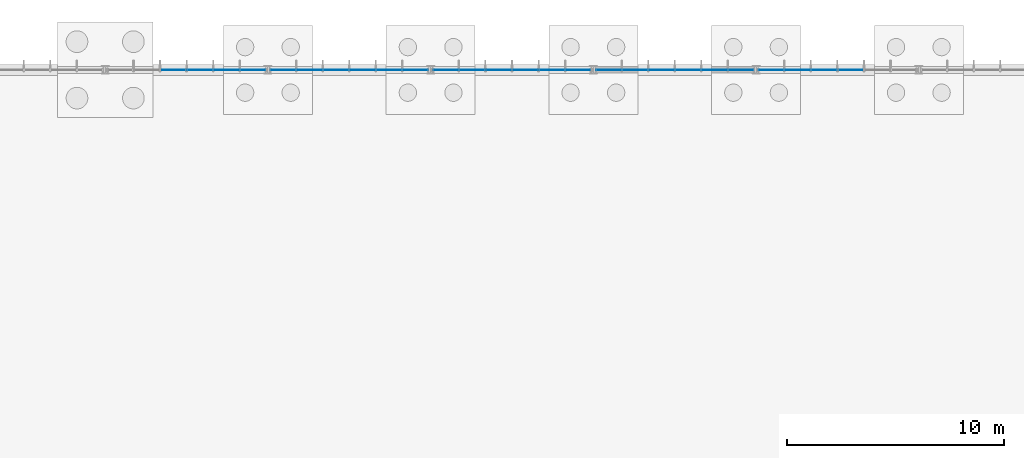
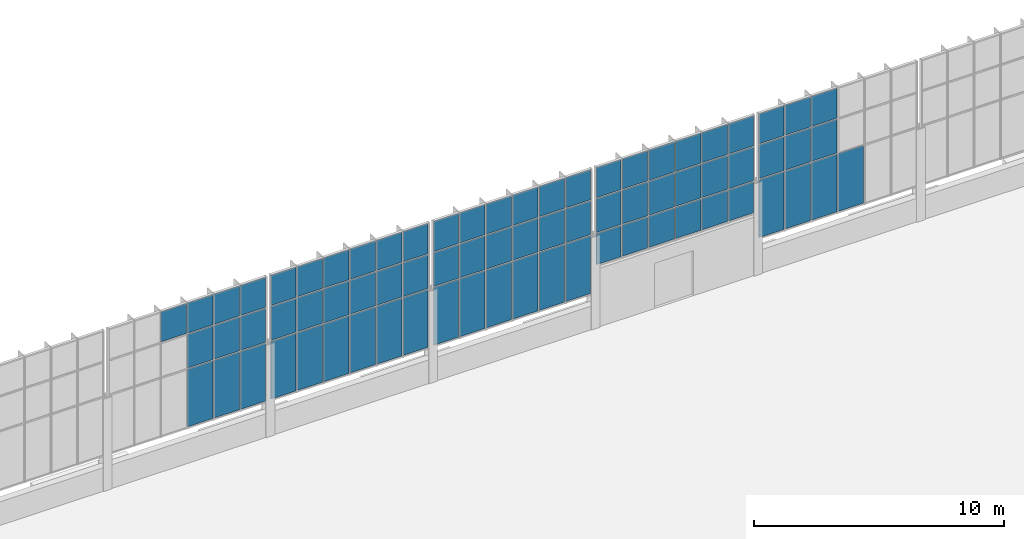
# One storey, part 94 of 136: 74 plates, 5 elements without a shape of their own.
"""IFC4 building model written with IfcOpenShell, lengths in metres."""

import ifcopenshell
import ifcopenshell.guid

model = None  # the IFC model being written
_history = None  # IfcOwnerHistory: only IFC2X3 demands one
_inside = {}  # id of a spatial element -> (the spatial element, [elements in it])
_under = {}  # id of a project, library or spatial element -> (it, [spatial elements below it])
_declared = {}  # id of a project -> (the project, [libraries it declares])
_typed = {}  # id of a type object -> (the type object, [elements of that type])
_made_of = {}  # id of a material, layer set ... -> (it, [elements and type objects made of it])


def new_model(schema):
    """Start an empty IFC model of exactly this schema.

    Asked for "IFC4X3", IfcOpenShell would pick the latest addendum, in which some entities
    have other attributes; the version numbers below select the first issue.
    IFC2X3 requires an IfcOwnerHistory on every rooted entity: one is made here for all.
    """
    global model, _history
    if schema == "IFC4X3":
        model = ifcopenshell.file(schema_version=(4, 3, 0, 0))
    else:
        model = ifcopenshell.file(schema=schema)
    _inside.clear()
    _under.clear()
    _declared.clear()
    _typed.clear()
    _made_of.clear()
    _history = None
    if model.schema == "IFC2X3":
        org = make("IfcOrganization", Name="unknown")
        user = make(
            "IfcPersonAndOrganization",
            ThePerson=make("IfcPerson", FamilyName="unknown"),
            TheOrganization=org,
        )
        app = make(
            "IfcApplication",
            ApplicationDeveloper=org,
            Version="unknown",
            ApplicationFullName="unknown",
            ApplicationIdentifier="unknown",
        )
        _history = make(
            "IfcOwnerHistory",
            OwningUser=user,
            OwningApplication=app,
            ChangeAction="ADDED",
            CreationDate=0,
        )
    return model


def make(cls, **values):
    """One entity of the class cls with the attributes given. An attribute that is None is left unset."""
    return model.create_entity(
        cls, **{name: value for name, value in values.items() if value is not None}
    )


def rooted(cls, **values):
    """An entity with a GlobalId (a new one), such as an element, a storey or a relation."""
    return make(cls, GlobalId=ifcopenshell.guid.new(), OwnerHistory=_history, **values)


def si_unit(unit_type, name, prefix=None):
    """IfcSIUnit, for example si_unit("LENGTHUNIT", "METRE", prefix="MILLI")."""
    return make("IfcSIUnit", UnitType=unit_type, Prefix=prefix, Name=name)


def assignment(units):
    """IfcUnitAssignment: the units of a project."""
    return None if units is None else make("IfcUnitAssignment", Units=units)


def point(xyz):
    """IfcCartesianPoint."""
    return None if xyz is None else make("IfcCartesianPoint", Coordinates=xyz)


def direction(xyz):
    """IfcDirection."""
    return None if xyz is None else make("IfcDirection", DirectionRatios=xyz)


def frame(location, z_axis=None, x_axis=None):
    """IfcAxis2Placement3D, a coordinate frame: its origin and axes. An axis left out is left unset."""
    return make(
        "IfcAxis2Placement3D",
        Location=point(location),
        Axis=direction(z_axis),
        RefDirection=direction(x_axis),
    )


def frame_2d(location, x_axis=None):
    """IfcAxis2Placement2D, a coordinate frame in the plane: its origin and x axis."""
    return make(
        "IfcAxis2Placement2D", Location=point(location), RefDirection=direction(x_axis)
    )


def origin():
    """The frame at (0, 0, 0) with its axes left unset."""
    return frame((0.0, 0.0, 0.0))


def origin_2d():
    """The frame at (0, 0) in the plane with its x axis left unset."""
    return frame_2d((0.0, 0.0))


def place(relative_to, where):
    """IfcLocalPlacement: puts the frame where relative to a parent placement (None: the world)."""
    return make(
        "IfcLocalPlacement", PlacementRelTo=relative_to, RelativePlacement=where
    )


def context(
    kind, dimensions, precision=None, world=None, true_north=None, identifier=None
):
    """IfcGeometricRepresentationContext, for example the 3D "Model" context."""
    return make(
        "IfcGeometricRepresentationContext",
        ContextIdentifier=identifier,
        ContextType=kind,
        CoordinateSpaceDimension=dimensions,
        Precision=precision,
        WorldCoordinateSystem=world,
        TrueNorth=true_north,
    )


def subcontext(parent, identifier, kind, view, scale=None):
    """IfcGeometricRepresentationSubContext, for example "Body" below "Model"."""
    return make(
        "IfcGeometricRepresentationSubContext",
        ContextIdentifier=identifier,
        ContextType=kind,
        ParentContext=parent,
        TargetScale=scale,
        TargetView=view,
    )


def project(units=None, contexts=None):
    """IfcProject with its units and contexts."""
    return rooted(
        "IfcProject",
        Name="project",
        RepresentationContexts=contexts,
        UnitsInContext=assignment(units),
    )


def spatial(cls, under=None, at=None, **own):
    """A site, building, storey or space (cls), placed at a placement, below another one or the project."""
    s = rooted(cls, ObjectPlacement=at, **own)
    if under is not None:
        _under.setdefault(under.id(), (under, []))[1].append(s)
    return s


def profile(cls, at=None, kind="AREA", **sizes):
    """A parametric profile (cls). Its sizes go by their IFC names, for example OverallWidth=200.0."""
    return make(cls, ProfileType=kind, Position=at, **sizes)


def rectangle(**sizes):
    """IfcRectangleProfileDef."""
    return profile("IfcRectangleProfileDef", **sizes)


def extrude(swept, where, along, depth):
    """IfcExtrudedAreaSolid: the profile swept, set in the frame where, extruded along a direction by depth."""
    return make(
        "IfcExtrudedAreaSolid",
        SweptArea=swept,
        Position=where,
        ExtrudedDirection=direction(along),
        Depth=depth,
    )


def shape(context_of_items, identifier, shape_type, items):
    """IfcShapeRepresentation: the items that make up one representation, for example the "Body"."""
    return make(
        "IfcShapeRepresentation",
        ContextOfItems=context_of_items,
        RepresentationIdentifier=identifier,
        RepresentationType=shape_type,
        Items=items,
    )


def material(Name=None, Category=None):
    """IfcMaterial."""
    return make("IfcMaterial", Name=Name, Category=Category)


def layer(
    of_material, thickness, ventilated=None, Name=None, Category=None, Priority=None
):
    """IfcMaterialLayer: one layer of a wall or slab, of a material (None: an air gap)."""
    return make(
        "IfcMaterialLayer",
        Material=of_material,
        LayerThickness=thickness,
        IsVentilated=ventilated,
        Name=Name,
        Category=Category,
        Priority=Priority,
    )


def layer_set(layers, Name=None):
    """IfcMaterialLayerSet."""
    return make("IfcMaterialLayerSet", MaterialLayers=layers, LayerSetName=Name)


def made_of(thing, what):
    """Note that an element or type object is made of a material, layer set ...; save() writes the relation."""
    if what is not None:
        _made_of.setdefault(what.id(), (what, []))[1].append(thing)
    return thing


def type_object(cls, material=None, **own):
    """A type object (cls), such as IfcWallType, which elements share."""
    return made_of(rooted(cls, **own), material)


def element(
    cls,
    number,
    at=None,
    inside=None,
    cuts=None,
    type_object=None,
    material=None,
    context=None,
    identifier="Body",
    shape_type=None,
    held_by="IfcProductDefinitionShape",
    body=None,
    shapes=None,
    **own,
):
    """One element of the class cls, such as IfcWall. Its Tag is "e" and its number.

    at: its placement. inside: the storey or other place that contains it. cuts: it is an
    opening in that element (IfcRelVoidsElement). A single representation is given by context,
    identifier, shape_type and body (its items); several are given by shapes. held_by: the class
    of the entity that holds the representations. save() writes the other relations.
    """
    e = rooted(cls, Tag="e%d" % number, ObjectPlacement=at, **own)
    if body is not None:
        shapes = [shape(context, identifier, shape_type, body)]
    if shapes is not None:
        e.Representation = make(held_by, Representations=shapes)
    if inside is not None:
        _inside.setdefault(inside.id(), (inside, []))[1].append(e)
    if cuts is not None:
        rooted(
            "IfcRelVoidsElement", RelatingBuildingElement=cuts, RelatedOpeningElement=e
        )
    if type_object is not None:
        _typed.setdefault(type_object.id(), (type_object, []))[1].append(e)
    return made_of(e, material)


def aggregate(whole, parts):
    """IfcRelAggregates: a whole, such as a stair, and the parts it consists of."""
    return rooted("IfcRelAggregates", RelatingObject=whole, RelatedObjects=parts)


def save(model, path):
    """Write the relations noted so far, then the file.

    IfcRelAggregates (storeys below a building ...), IfcRelContainedInSpatialStructure (elements
    in a storey), IfcRelDefinesByType, IfcRelAssociatesMaterial and IfcRelDeclares: one each for
    every whole, place, type object, material and project.
    """
    for whole, parts in _under.values():
        aggregate(whole, parts)
    for where, things in _inside.values():
        rooted(
            "IfcRelContainedInSpatialStructure",
            RelatedElements=things,
            RelatingStructure=where,
        )
    for kind, things in _typed.values():
        rooted("IfcRelDefinesByType", RelatedObjects=things, RelatingType=kind)
    for what, things in _made_of.values():
        rooted("IfcRelAssociatesMaterial", RelatedObjects=things, RelatingMaterial=what)
    for by, libraries in _declared.values():
        rooted("IfcRelDeclares", RelatingContext=by, RelatedDefinitions=libraries)
    model.write(path)


model = new_model("IFC4")

# Units and contexts
model_context = context("Model", 3, precision=1e-05, world=origin(), true_north=direction((0.0, 1.0)))
body_context = subcontext(model_context, "Body", "Model", "MODEL_VIEW")
ifc_project = project(units=[si_unit("LENGTHUNIT", "METRE"), si_unit("AREAUNIT", "SQUARE_METRE"), si_unit("VOLUMEUNIT", "CUBIC_METRE"), si_unit("PLANEANGLEUNIT", "RADIAN"), si_unit("MASSUNIT", "GRAM", prefix="KILO")], contexts=[model_context])

# Site, building, storey
site_placement = place(None, origin())
site = spatial("IfcSite", under=ifc_project, at=site_placement, CompositionType="ELEMENT")
building_placement = place(site_placement, origin())
building = spatial("IfcBuilding", under=site, at=building_placement, Name="Solvenia Promenade Tram Depot", CompositionType="ELEMENT")
storey_placement = place(building_placement, origin())
storey = spatial("IfcBuildingStorey", under=building, at=storey_placement, Name="L00", CompositionType="ELEMENT", Elevation=0.0)

# Curtain wall, plates
ifc_material_1 = material(Name="Anodized aluminium AW-6063 T6", Category="aluminium")
ifc_layer_1 = layer(ifc_material_1, 0.159912109375, Name="Anodized aluminium AW-6063 T6", Category="aluminium")
ifc_layer_set_1 = layer_set([ifc_layer_1], Name="Anodized aluminium AW-6063 T6")
curtain_wall_type = type_object("IfcCurtainWallType", Name="CW-Channel-1200", PredefinedType="NOTDEFINED", material=ifc_layer_set_1)
curtain_wall_1_placement = place(storey_placement, origin())
curtain_wall_1 = element("IfcCurtainWall", 1, at=curtain_wall_1_placement, inside=storey, type_object=curtain_wall_type, Name="North Translucent Channel-Glass Wall 13", PredefinedType="NOTDEFINED")
ifc_material_2 = material(Name="Low-iron translucent U-profile channel glass", Category="glass")
ifc_layer_2 = layer(ifc_material_2, 0.028076171875, Name="Low-iron translucent U-profile channel glass", Category="glass")
ifc_layer_set_2 = layer_set([ifc_layer_2], Name="Low-iron translucent U-profile channel glass")
plate_type = type_object("IfcPlateType", Name="CWP-Panel-1", PredefinedType="CURTAIN_PANEL", material=ifc_layer_set_2)
plate_1_placement = place(storey_placement, frame((93.138427734375, 126.0, 6.22998046875), z_axis=(0.0, 0.0, 1.0), x_axis=(1.0, 0.0, 0.0)))
plate_1 = element("IfcPlate", 2, at=plate_1_placement, type_object=plate_type, Name="CW-1 panel 3.3", PredefinedType="CURTAIN_PANEL", context=body_context, shape_type="SweptSolid", body=[
    extrude(rectangle(XDim=1.17138671875, YDim=0.028076171875, at=origin_2d()), origin(), (0.0, 0.0, 1.0), 1.4599609375),
])
plate_2_placement = place(storey_placement, frame((94.361572265625, 126.0, 1.659912109375), z_axis=(0.0, 0.0, 1.0), x_axis=(1.0, 0.0, 0.0)))
plate_2 = element("IfcPlate", 3, at=plate_2_placement, type_object=plate_type, Name="CW-1 panel 4.1", PredefinedType="CURTAIN_PANEL", context=body_context, shape_type="SweptSolid", body=[
    extrude(rectangle(XDim=1.17138671875, YDim=0.028076171875, at=origin_2d()), origin(), (0.0, 0.0, 1.0), 2.81005859375),
])
plate_3_placement = place(storey_placement, frame((94.361572265625, 126.0, 4.5302734375), z_axis=(0.0, 0.0, 1.0), x_axis=(1.0, 0.0, 0.0)))
plate_3 = element("IfcPlate", 4, at=plate_3_placement, type_object=plate_type, Name="CW-1 panel 4.2", PredefinedType="CURTAIN_PANEL", context=body_context, shape_type="SweptSolid", body=[
    extrude(rectangle(XDim=1.17138671875, YDim=0.028076171875, at=origin_2d()), origin(), (0.0, 0.0, 1.0), 1.639892578125),
])
plate_4_placement = place(storey_placement, frame((94.361572265625, 126.0, 6.22998046875), z_axis=(0.0, 0.0, 1.0), x_axis=(1.0, 0.0, 0.0)))
plate_4 = element("IfcPlate", 5, at=plate_4_placement, type_object=plate_type, Name="CW-1 panel 4.3", PredefinedType="CURTAIN_PANEL", context=body_context, shape_type="SweptSolid", body=[
    extrude(rectangle(XDim=1.17138671875, YDim=0.028076171875, at=origin_2d()), origin(), (0.0, 0.0, 1.0), 1.4599609375),
])
plate_5_placement = place(storey_placement, frame((95.5849609375, 126.0, 1.659912109375), z_axis=(0.0, 0.0, 1.0), x_axis=(1.0, 0.0, 0.0)))
plate_5 = element("IfcPlate", 6, at=plate_5_placement, type_object=plate_type, Name="CW-1 panel 5.1", PredefinedType="CURTAIN_PANEL", context=body_context, shape_type="SweptSolid", body=[
    extrude(rectangle(XDim=1.17138671875, YDim=0.028076171875, at=origin_2d()), origin(), (0.0, 0.0, 1.0), 2.81005859375),
])
plate_6_placement = place(storey_placement, frame((95.5849609375, 126.0, 4.5302734375), z_axis=(0.0, 0.0, 1.0), x_axis=(1.0, 0.0, 0.0)))
plate_6 = element("IfcPlate", 7, at=plate_6_placement, type_object=plate_type, Name="CW-1 panel 5.2", PredefinedType="CURTAIN_PANEL", context=body_context, shape_type="SweptSolid", body=[
    extrude(rectangle(XDim=1.17138671875, YDim=0.028076171875, at=origin_2d()), origin(), (0.0, 0.0, 1.0), 1.639892578125),
])
plate_7_placement = place(storey_placement, frame((95.5849609375, 126.0, 6.22998046875), z_axis=(0.0, 0.0, 1.0), x_axis=(1.0, 0.0, 0.0)))
plate_7 = element("IfcPlate", 8, at=plate_7_placement, type_object=plate_type, Name="CW-1 panel 5.3", PredefinedType="CURTAIN_PANEL", context=body_context, shape_type="SweptSolid", body=[
    extrude(rectangle(XDim=1.17138671875, YDim=0.028076171875, at=origin_2d()), origin(), (0.0, 0.0, 1.0), 1.4599609375),
])
plate_8_placement = place(storey_placement, frame((96.79541015625, 126.0, 1.659912109375), z_axis=(0.0, 0.0, 1.0), x_axis=(1.0, 0.0, 0.0)))
plate_8 = element("IfcPlate", 9, at=plate_8_placement, type_object=plate_type, Name="CW-1 panel 6.1", PredefinedType="CURTAIN_PANEL", context=body_context, shape_type="SweptSolid", body=[
    extrude(rectangle(XDim=1.145263671875, YDim=0.028076171875, at=origin_2d()), origin(), (0.0, 0.0, 1.0), 2.81005859375),
])
plate_9_placement = place(storey_placement, frame((96.79541015625, 126.0, 4.5302734375), z_axis=(0.0, 0.0, 1.0), x_axis=(1.0, 0.0, 0.0)))
plate_9 = element("IfcPlate", 10, at=plate_9_placement, type_object=plate_type, Name="CW-1 panel 6.2", PredefinedType="CURTAIN_PANEL", context=body_context, shape_type="SweptSolid", body=[
    extrude(rectangle(XDim=1.145263671875, YDim=0.028076171875, at=origin_2d()), origin(), (0.0, 0.0, 1.0), 1.639892578125),
])
plate_10_placement = place(storey_placement, frame((96.79541015625, 126.0, 6.22998046875), z_axis=(0.0, 0.0, 1.0), x_axis=(1.0, 0.0, 0.0)))
plate_10 = element("IfcPlate", 11, at=plate_10_placement, type_object=plate_type, Name="CW-1 panel 6.3", PredefinedType="CURTAIN_PANEL", context=body_context, shape_type="SweptSolid", body=[
    extrude(rectangle(XDim=1.145263671875, YDim=0.028076171875, at=origin_2d()), origin(), (0.0, 0.0, 1.0), 1.4599609375),
])
aggregate(curtain_wall_1, [plate_1, plate_2, plate_3, plate_4, plate_5, plate_6, plate_7, plate_8, plate_9, plate_10])

curtain_wall_2_placement = place(storey_placement, origin())
curtain_wall_2 = element("IfcCurtainWall", 12, at=curtain_wall_2_placement, inside=storey, type_object=curtain_wall_type, Name="North Translucent Channel-Glass Wall 14", PredefinedType="NOTDEFINED")
plate_11_placement = place(storey_placement, frame((98.20458984375, 126.0, 1.659912109375), z_axis=(0.0, 0.0, 1.0), x_axis=(1.0, 0.0, 0.0)))
plate_11 = element("IfcPlate", 13, at=plate_11_placement, type_object=plate_type, Name="CW-1 panel 1.1", PredefinedType="CURTAIN_PANEL", context=body_context, shape_type="SweptSolid", body=[
    extrude(rectangle(XDim=1.145263671875, YDim=0.028076171875, at=origin_2d()), origin(), (0.0, 0.0, 1.0), 2.81005859375),
])
plate_12_placement = place(storey_placement, frame((98.20458984375, 126.0, 4.5302734375), z_axis=(0.0, 0.0, 1.0), x_axis=(1.0, 0.0, 0.0)))
plate_12 = element("IfcPlate", 14, at=plate_12_placement, type_object=plate_type, Name="CW-1 panel 1.2", PredefinedType="CURTAIN_PANEL", context=body_context, shape_type="SweptSolid", body=[
    extrude(rectangle(XDim=1.145263671875, YDim=0.028076171875, at=origin_2d()), origin(), (0.0, 0.0, 1.0), 1.639892578125),
])
plate_13_placement = place(storey_placement, frame((98.20458984375, 126.0, 6.22998046875), z_axis=(0.0, 0.0, 1.0), x_axis=(1.0, 0.0, 0.0)))
plate_13 = element("IfcPlate", 15, at=plate_13_placement, type_object=plate_type, Name="CW-1 panel 1.3", PredefinedType="CURTAIN_PANEL", context=body_context, shape_type="SweptSolid", body=[
    extrude(rectangle(XDim=1.145263671875, YDim=0.028076171875, at=origin_2d()), origin(), (0.0, 0.0, 1.0), 1.4599609375),
])
plate_14_placement = place(storey_placement, frame((99.4150390625, 126.0, 1.659912109375), z_axis=(0.0, 0.0, 1.0), x_axis=(1.0, 0.0, 0.0)))
plate_14 = element("IfcPlate", 16, at=plate_14_placement, type_object=plate_type, Name="CW-1 panel 2.1", PredefinedType="CURTAIN_PANEL", context=body_context, shape_type="SweptSolid", body=[
    extrude(rectangle(XDim=1.17138671875, YDim=0.028076171875, at=origin_2d()), origin(), (0.0, 0.0, 1.0), 2.81005859375),
])
plate_15_placement = place(storey_placement, frame((99.4150390625, 126.0, 4.5302734375), z_axis=(0.0, 0.0, 1.0), x_axis=(1.0, 0.0, 0.0)))
plate_15 = element("IfcPlate", 17, at=plate_15_placement, type_object=plate_type, Name="CW-1 panel 2.2", PredefinedType="CURTAIN_PANEL", context=body_context, shape_type="SweptSolid", body=[
    extrude(rectangle(XDim=1.17138671875, YDim=0.028076171875, at=origin_2d()), origin(), (0.0, 0.0, 1.0), 1.639892578125),
])
plate_16_placement = place(storey_placement, frame((99.4150390625, 126.0, 6.22998046875), z_axis=(0.0, 0.0, 1.0), x_axis=(1.0, 0.0, 0.0)))
plate_16 = element("IfcPlate", 18, at=plate_16_placement, type_object=plate_type, Name="CW-1 panel 2.3", PredefinedType="CURTAIN_PANEL", context=body_context, shape_type="SweptSolid", body=[
    extrude(rectangle(XDim=1.17138671875, YDim=0.028076171875, at=origin_2d()), origin(), (0.0, 0.0, 1.0), 1.4599609375),
])
plate_17_placement = place(storey_placement, frame((100.638427734375, 126.0, 1.659912109375), z_axis=(0.0, 0.0, 1.0), x_axis=(1.0, 0.0, 0.0)))
plate_17 = element("IfcPlate", 19, at=plate_17_placement, type_object=plate_type, Name="CW-1 panel 3.1", PredefinedType="CURTAIN_PANEL", context=body_context, shape_type="SweptSolid", body=[
    extrude(rectangle(XDim=1.17138671875, YDim=0.028076171875, at=origin_2d()), origin(), (0.0, 0.0, 1.0), 2.81005859375),
])
plate_18_placement = place(storey_placement, frame((100.638427734375, 126.0, 4.5302734375), z_axis=(0.0, 0.0, 1.0), x_axis=(1.0, 0.0, 0.0)))
plate_18 = element("IfcPlate", 20, at=plate_18_placement, type_object=plate_type, Name="CW-1 panel 3.2", PredefinedType="CURTAIN_PANEL", context=body_context, shape_type="SweptSolid", body=[
    extrude(rectangle(XDim=1.17138671875, YDim=0.028076171875, at=origin_2d()), origin(), (0.0, 0.0, 1.0), 1.639892578125),
])
plate_19_placement = place(storey_placement, frame((100.638427734375, 126.0, 6.22998046875), z_axis=(0.0, 0.0, 1.0), x_axis=(1.0, 0.0, 0.0)))
plate_19 = element("IfcPlate", 21, at=plate_19_placement, type_object=plate_type, Name="CW-1 panel 3.3", PredefinedType="CURTAIN_PANEL", context=body_context, shape_type="SweptSolid", body=[
    extrude(rectangle(XDim=1.17138671875, YDim=0.028076171875, at=origin_2d()), origin(), (0.0, 0.0, 1.0), 1.4599609375),
])
plate_20_placement = place(storey_placement, frame((101.861572265625, 126.0, 1.659912109375), z_axis=(0.0, 0.0, 1.0), x_axis=(1.0, 0.0, 0.0)))
plate_20 = element("IfcPlate", 22, at=plate_20_placement, type_object=plate_type, Name="CW-1 panel 4.1", PredefinedType="CURTAIN_PANEL", context=body_context, shape_type="SweptSolid", body=[
    extrude(rectangle(XDim=1.17138671875, YDim=0.028076171875, at=origin_2d()), origin(), (0.0, 0.0, 1.0), 2.81005859375),
])
plate_21_placement = place(storey_placement, frame((101.861572265625, 126.0, 4.5302734375), z_axis=(0.0, 0.0, 1.0), x_axis=(1.0, 0.0, 0.0)))
plate_21 = element("IfcPlate", 23, at=plate_21_placement, type_object=plate_type, Name="CW-1 panel 4.2", PredefinedType="CURTAIN_PANEL", context=body_context, shape_type="SweptSolid", body=[
    extrude(rectangle(XDim=1.17138671875, YDim=0.028076171875, at=origin_2d()), origin(), (0.0, 0.0, 1.0), 1.639892578125),
])
plate_22_placement = place(storey_placement, frame((101.861572265625, 126.0, 6.22998046875), z_axis=(0.0, 0.0, 1.0), x_axis=(1.0, 0.0, 0.0)))
plate_22 = element("IfcPlate", 24, at=plate_22_placement, type_object=plate_type, Name="CW-1 panel 4.3", PredefinedType="CURTAIN_PANEL", context=body_context, shape_type="SweptSolid", body=[
    extrude(rectangle(XDim=1.17138671875, YDim=0.028076171875, at=origin_2d()), origin(), (0.0, 0.0, 1.0), 1.4599609375),
])
plate_23_placement = place(storey_placement, frame((103.0849609375, 126.0, 1.659912109375), z_axis=(0.0, 0.0, 1.0), x_axis=(1.0, 0.0, 0.0)))
plate_23 = element("IfcPlate", 25, at=plate_23_placement, type_object=plate_type, Name="CW-1 panel 5.1", PredefinedType="CURTAIN_PANEL", context=body_context, shape_type="SweptSolid", body=[
    extrude(rectangle(XDim=1.17138671875, YDim=0.028076171875, at=origin_2d()), origin(), (0.0, 0.0, 1.0), 2.81005859375),
])
plate_24_placement = place(storey_placement, frame((103.0849609375, 126.0, 4.5302734375), z_axis=(0.0, 0.0, 1.0), x_axis=(1.0, 0.0, 0.0)))
plate_24 = element("IfcPlate", 26, at=plate_24_placement, type_object=plate_type, Name="CW-1 panel 5.2", PredefinedType="CURTAIN_PANEL", context=body_context, shape_type="SweptSolid", body=[
    extrude(rectangle(XDim=1.17138671875, YDim=0.028076171875, at=origin_2d()), origin(), (0.0, 0.0, 1.0), 1.639892578125),
])
plate_25_placement = place(storey_placement, frame((103.0849609375, 126.0, 6.22998046875), z_axis=(0.0, 0.0, 1.0), x_axis=(1.0, 0.0, 0.0)))
plate_25 = element("IfcPlate", 27, at=plate_25_placement, type_object=plate_type, Name="CW-1 panel 5.3", PredefinedType="CURTAIN_PANEL", context=body_context, shape_type="SweptSolid", body=[
    extrude(rectangle(XDim=1.17138671875, YDim=0.028076171875, at=origin_2d()), origin(), (0.0, 0.0, 1.0), 1.4599609375),
])
plate_26_placement = place(storey_placement, frame((104.29541015625, 126.0, 1.659912109375), z_axis=(0.0, 0.0, 1.0), x_axis=(1.0, 0.0, 0.0)))
plate_26 = element("IfcPlate", 28, at=plate_26_placement, type_object=plate_type, Name="CW-1 panel 6.1", PredefinedType="CURTAIN_PANEL", context=body_context, shape_type="SweptSolid", body=[
    extrude(rectangle(XDim=1.145263671875, YDim=0.028076171875, at=origin_2d()), origin(), (0.0, 0.0, 1.0), 2.81005859375),
])
plate_27_placement = place(storey_placement, frame((104.29541015625, 126.0, 4.5302734375), z_axis=(0.0, 0.0, 1.0), x_axis=(1.0, 0.0, 0.0)))
plate_27 = element("IfcPlate", 29, at=plate_27_placement, type_object=plate_type, Name="CW-1 panel 6.2", PredefinedType="CURTAIN_PANEL", context=body_context, shape_type="SweptSolid", body=[
    extrude(rectangle(XDim=1.145263671875, YDim=0.028076171875, at=origin_2d()), origin(), (0.0, 0.0, 1.0), 1.639892578125),
])
plate_28_placement = place(storey_placement, frame((104.29541015625, 126.0, 6.22998046875), z_axis=(0.0, 0.0, 1.0), x_axis=(1.0, 0.0, 0.0)))
plate_28 = element("IfcPlate", 30, at=plate_28_placement, type_object=plate_type, Name="CW-1 panel 6.3", PredefinedType="CURTAIN_PANEL", context=body_context, shape_type="SweptSolid", body=[
    extrude(rectangle(XDim=1.145263671875, YDim=0.028076171875, at=origin_2d()), origin(), (0.0, 0.0, 1.0), 1.4599609375),
])
aggregate(curtain_wall_2, [plate_11, plate_12, plate_13, plate_14, plate_15, plate_16, plate_17, plate_18, plate_19, plate_20, plate_21, plate_22, plate_23, plate_24, plate_25, plate_26, plate_27, plate_28])

curtain_wall_3_placement = place(storey_placement, origin())
curtain_wall_3 = element("IfcCurtainWall", 31, at=curtain_wall_3_placement, inside=storey, type_object=curtain_wall_type, Name="North Translucent Channel-Glass Wall 15", PredefinedType="NOTDEFINED")
plate_29_placement = place(storey_placement, frame((105.70458984375, 126.0, 1.659912109375), z_axis=(0.0, 0.0, 1.0), x_axis=(1.0, 0.0, 0.0)))
plate_29 = element("IfcPlate", 32, at=plate_29_placement, type_object=plate_type, Name="CW-1 panel 1.1", PredefinedType="CURTAIN_PANEL", context=body_context, shape_type="SweptSolid", body=[
    extrude(rectangle(XDim=1.145263671875, YDim=0.028076171875, at=origin_2d()), origin(), (0.0, 0.0, 1.0), 2.81005859375),
])
plate_30_placement = place(storey_placement, frame((105.70458984375, 126.0, 4.5302734375), z_axis=(0.0, 0.0, 1.0), x_axis=(1.0, 0.0, 0.0)))
plate_30 = element("IfcPlate", 33, at=plate_30_placement, type_object=plate_type, Name="CW-1 panel 1.2", PredefinedType="CURTAIN_PANEL", context=body_context, shape_type="SweptSolid", body=[
    extrude(rectangle(XDim=1.145263671875, YDim=0.028076171875, at=origin_2d()), origin(), (0.0, 0.0, 1.0), 1.639892578125),
])
plate_31_placement = place(storey_placement, frame((105.70458984375, 126.0, 6.22998046875), z_axis=(0.0, 0.0, 1.0), x_axis=(1.0, 0.0, 0.0)))
plate_31 = element("IfcPlate", 34, at=plate_31_placement, type_object=plate_type, Name="CW-1 panel 1.3", PredefinedType="CURTAIN_PANEL", context=body_context, shape_type="SweptSolid", body=[
    extrude(rectangle(XDim=1.145263671875, YDim=0.028076171875, at=origin_2d()), origin(), (0.0, 0.0, 1.0), 1.4599609375),
])
plate_32_placement = place(storey_placement, frame((106.9150390625, 126.0, 1.659912109375), z_axis=(0.0, 0.0, 1.0), x_axis=(1.0, 0.0, 0.0)))
plate_32 = element("IfcPlate", 35, at=plate_32_placement, type_object=plate_type, Name="CW-1 panel 2.1", PredefinedType="CURTAIN_PANEL", context=body_context, shape_type="SweptSolid", body=[
    extrude(rectangle(XDim=1.17138671875, YDim=0.028076171875, at=origin_2d()), origin(), (0.0, 0.0, 1.0), 2.81005859375),
])
plate_33_placement = place(storey_placement, frame((106.9150390625, 126.0, 4.5302734375), z_axis=(0.0, 0.0, 1.0), x_axis=(1.0, 0.0, 0.0)))
plate_33 = element("IfcPlate", 36, at=plate_33_placement, type_object=plate_type, Name="CW-1 panel 2.2", PredefinedType="CURTAIN_PANEL", context=body_context, shape_type="SweptSolid", body=[
    extrude(rectangle(XDim=1.17138671875, YDim=0.028076171875, at=origin_2d()), origin(), (0.0, 0.0, 1.0), 1.639892578125),
])
plate_34_placement = place(storey_placement, frame((106.9150390625, 126.0, 6.22998046875), z_axis=(0.0, 0.0, 1.0), x_axis=(1.0, 0.0, 0.0)))
plate_34 = element("IfcPlate", 37, at=plate_34_placement, type_object=plate_type, Name="CW-1 panel 2.3", PredefinedType="CURTAIN_PANEL", context=body_context, shape_type="SweptSolid", body=[
    extrude(rectangle(XDim=1.17138671875, YDim=0.028076171875, at=origin_2d()), origin(), (0.0, 0.0, 1.0), 1.4599609375),
])
plate_35_placement = place(storey_placement, frame((108.138427734375, 126.0, 1.659912109375), z_axis=(0.0, 0.0, 1.0), x_axis=(1.0, 0.0, 0.0)))
plate_35 = element("IfcPlate", 38, at=plate_35_placement, type_object=plate_type, Name="CW-1 panel 3.1", PredefinedType="CURTAIN_PANEL", context=body_context, shape_type="SweptSolid", body=[
    extrude(rectangle(XDim=1.17138671875, YDim=0.028076171875, at=origin_2d()), origin(), (0.0, 0.0, 1.0), 2.81005859375),
])
plate_36_placement = place(storey_placement, frame((108.138427734375, 126.0, 4.5302734375), z_axis=(0.0, 0.0, 1.0), x_axis=(1.0, 0.0, 0.0)))
plate_36 = element("IfcPlate", 39, at=plate_36_placement, type_object=plate_type, Name="CW-1 panel 3.2", PredefinedType="CURTAIN_PANEL", context=body_context, shape_type="SweptSolid", body=[
    extrude(rectangle(XDim=1.17138671875, YDim=0.028076171875, at=origin_2d()), origin(), (0.0, 0.0, 1.0), 1.639892578125),
])
plate_37_placement = place(storey_placement, frame((108.138427734375, 126.0, 6.22998046875), z_axis=(0.0, 0.0, 1.0), x_axis=(1.0, 0.0, 0.0)))
plate_37 = element("IfcPlate", 40, at=plate_37_placement, type_object=plate_type, Name="CW-1 panel 3.3", PredefinedType="CURTAIN_PANEL", context=body_context, shape_type="SweptSolid", body=[
    extrude(rectangle(XDim=1.17138671875, YDim=0.028076171875, at=origin_2d()), origin(), (0.0, 0.0, 1.0), 1.4599609375),
])
plate_38_placement = place(storey_placement, frame((109.361572265625, 126.0, 1.659912109375), z_axis=(0.0, 0.0, 1.0), x_axis=(1.0, 0.0, 0.0)))
plate_38 = element("IfcPlate", 41, at=plate_38_placement, type_object=plate_type, Name="CW-1 panel 4.1", PredefinedType="CURTAIN_PANEL", context=body_context, shape_type="SweptSolid", body=[
    extrude(rectangle(XDim=1.17138671875, YDim=0.028076171875, at=origin_2d()), origin(), (0.0, 0.0, 1.0), 2.81005859375),
])
plate_39_placement = place(storey_placement, frame((109.361572265625, 126.0, 4.5302734375), z_axis=(0.0, 0.0, 1.0), x_axis=(1.0, 0.0, 0.0)))
plate_39 = element("IfcPlate", 42, at=plate_39_placement, type_object=plate_type, Name="CW-1 panel 4.2", PredefinedType="CURTAIN_PANEL", context=body_context, shape_type="SweptSolid", body=[
    extrude(rectangle(XDim=1.17138671875, YDim=0.028076171875, at=origin_2d()), origin(), (0.0, 0.0, 1.0), 1.639892578125),
])
plate_40_placement = place(storey_placement, frame((109.361572265625, 126.0, 6.22998046875), z_axis=(0.0, 0.0, 1.0), x_axis=(1.0, 0.0, 0.0)))
plate_40 = element("IfcPlate", 43, at=plate_40_placement, type_object=plate_type, Name="CW-1 panel 4.3", PredefinedType="CURTAIN_PANEL", context=body_context, shape_type="SweptSolid", body=[
    extrude(rectangle(XDim=1.17138671875, YDim=0.028076171875, at=origin_2d()), origin(), (0.0, 0.0, 1.0), 1.4599609375),
])
plate_41_placement = place(storey_placement, frame((110.5849609375, 126.0, 1.659912109375), z_axis=(0.0, 0.0, 1.0), x_axis=(1.0, 0.0, 0.0)))
plate_41 = element("IfcPlate", 44, at=plate_41_placement, type_object=plate_type, Name="CW-1 panel 5.1", PredefinedType="CURTAIN_PANEL", context=body_context, shape_type="SweptSolid", body=[
    extrude(rectangle(XDim=1.17138671875, YDim=0.028076171875, at=origin_2d()), origin(), (0.0, 0.0, 1.0), 2.81005859375),
])
plate_42_placement = place(storey_placement, frame((110.5849609375, 126.0, 4.5302734375), z_axis=(0.0, 0.0, 1.0), x_axis=(1.0, 0.0, 0.0)))
plate_42 = element("IfcPlate", 45, at=plate_42_placement, type_object=plate_type, Name="CW-1 panel 5.2", PredefinedType="CURTAIN_PANEL", context=body_context, shape_type="SweptSolid", body=[
    extrude(rectangle(XDim=1.17138671875, YDim=0.028076171875, at=origin_2d()), origin(), (0.0, 0.0, 1.0), 1.639892578125),
])
plate_43_placement = place(storey_placement, frame((110.5849609375, 126.0, 6.22998046875), z_axis=(0.0, 0.0, 1.0), x_axis=(1.0, 0.0, 0.0)))
plate_43 = element("IfcPlate", 46, at=plate_43_placement, type_object=plate_type, Name="CW-1 panel 5.3", PredefinedType="CURTAIN_PANEL", context=body_context, shape_type="SweptSolid", body=[
    extrude(rectangle(XDim=1.17138671875, YDim=0.028076171875, at=origin_2d()), origin(), (0.0, 0.0, 1.0), 1.4599609375),
])
plate_44_placement = place(storey_placement, frame((111.79541015625, 126.0, 1.659912109375), z_axis=(0.0, 0.0, 1.0), x_axis=(1.0, 0.0, 0.0)))
plate_44 = element("IfcPlate", 47, at=plate_44_placement, type_object=plate_type, Name="CW-1 panel 6.1", PredefinedType="CURTAIN_PANEL", context=body_context, shape_type="SweptSolid", body=[
    extrude(rectangle(XDim=1.145263671875, YDim=0.028076171875, at=origin_2d()), origin(), (0.0, 0.0, 1.0), 2.81005859375),
])
plate_45_placement = place(storey_placement, frame((111.79541015625, 126.0, 4.5302734375), z_axis=(0.0, 0.0, 1.0), x_axis=(1.0, 0.0, 0.0)))
plate_45 = element("IfcPlate", 48, at=plate_45_placement, type_object=plate_type, Name="CW-1 panel 6.2", PredefinedType="CURTAIN_PANEL", context=body_context, shape_type="SweptSolid", body=[
    extrude(rectangle(XDim=1.145263671875, YDim=0.028076171875, at=origin_2d()), origin(), (0.0, 0.0, 1.0), 1.639892578125),
])
plate_46_placement = place(storey_placement, frame((111.79541015625, 126.0, 6.22998046875), z_axis=(0.0, 0.0, 1.0), x_axis=(1.0, 0.0, 0.0)))
plate_46 = element("IfcPlate", 49, at=plate_46_placement, type_object=plate_type, Name="CW-1 panel 6.3", PredefinedType="CURTAIN_PANEL", context=body_context, shape_type="SweptSolid", body=[
    extrude(rectangle(XDim=1.145263671875, YDim=0.028076171875, at=origin_2d()), origin(), (0.0, 0.0, 1.0), 1.4599609375),
])
aggregate(curtain_wall_3, [plate_29, plate_30, plate_31, plate_32, plate_33, plate_34, plate_35, plate_36, plate_37, plate_38, plate_39, plate_40, plate_41, plate_42, plate_43, plate_44, plate_45, plate_46])

curtain_wall_4_placement = place(storey_placement, origin())
curtain_wall_4 = element("IfcCurtainWall", 50, at=curtain_wall_4_placement, inside=storey, type_object=curtain_wall_type, Name="North Translucent Channel-Glass Wall 16", PredefinedType="NOTDEFINED")
plate_47_placement = place(storey_placement, frame((113.20458984375, 126.0, 2.9599609375), z_axis=(0.0, 0.0, 1.0), x_axis=(1.0, 0.0, 0.0)))
plate_47 = element("IfcPlate", 51, at=plate_47_placement, type_object=plate_type, Name="CW-1 panel 1.1", PredefinedType="CURTAIN_PANEL", context=body_context, shape_type="SweptSolid", body=[
    extrude(rectangle(XDim=1.145263671875, YDim=0.028076171875, at=origin_2d()), origin(), (0.0, 0.0, 1.0), 1.510009765625),
])
plate_48_placement = place(storey_placement, frame((113.20458984375, 126.0, 4.5302734375), z_axis=(0.0, 0.0, 1.0), x_axis=(1.0, 0.0, 0.0)))
plate_48 = element("IfcPlate", 52, at=plate_48_placement, type_object=plate_type, Name="CW-1 panel 1.2", PredefinedType="CURTAIN_PANEL", context=body_context, shape_type="SweptSolid", body=[
    extrude(rectangle(XDim=1.145263671875, YDim=0.028076171875, at=origin_2d()), origin(), (0.0, 0.0, 1.0), 1.639892578125),
])
plate_49_placement = place(storey_placement, frame((113.20458984375, 126.0, 6.22998046875), z_axis=(0.0, 0.0, 1.0), x_axis=(1.0, 0.0, 0.0)))
plate_49 = element("IfcPlate", 53, at=plate_49_placement, type_object=plate_type, Name="CW-1 panel 1.3", PredefinedType="CURTAIN_PANEL", context=body_context, shape_type="SweptSolid", body=[
    extrude(rectangle(XDim=1.145263671875, YDim=0.028076171875, at=origin_2d()), origin(), (0.0, 0.0, 1.0), 1.4599609375),
])
plate_50_placement = place(storey_placement, frame((114.4150390625, 126.0, 2.9599609375), z_axis=(0.0, 0.0, 1.0), x_axis=(1.0, 0.0, 0.0)))
plate_50 = element("IfcPlate", 54, at=plate_50_placement, type_object=plate_type, Name="CW-1 panel 2.1", PredefinedType="CURTAIN_PANEL", context=body_context, shape_type="SweptSolid", body=[
    extrude(rectangle(XDim=1.17138671875, YDim=0.028076171875, at=origin_2d()), origin(), (0.0, 0.0, 1.0), 1.510009765625),
])
plate_51_placement = place(storey_placement, frame((114.4150390625, 126.0, 4.5302734375), z_axis=(0.0, 0.0, 1.0), x_axis=(1.0, 0.0, 0.0)))
plate_51 = element("IfcPlate", 55, at=plate_51_placement, type_object=plate_type, Name="CW-1 panel 2.2", PredefinedType="CURTAIN_PANEL", context=body_context, shape_type="SweptSolid", body=[
    extrude(rectangle(XDim=1.17138671875, YDim=0.028076171875, at=origin_2d()), origin(), (0.0, 0.0, 1.0), 1.639892578125),
])
plate_52_placement = place(storey_placement, frame((114.4150390625, 126.0, 6.22998046875), z_axis=(0.0, 0.0, 1.0), x_axis=(1.0, 0.0, 0.0)))
plate_52 = element("IfcPlate", 56, at=plate_52_placement, type_object=plate_type, Name="CW-1 panel 2.3", PredefinedType="CURTAIN_PANEL", context=body_context, shape_type="SweptSolid", body=[
    extrude(rectangle(XDim=1.17138671875, YDim=0.028076171875, at=origin_2d()), origin(), (0.0, 0.0, 1.0), 1.4599609375),
])
plate_53_placement = place(storey_placement, frame((115.638427734375, 126.0, 2.9599609375), z_axis=(0.0, 0.0, 1.0), x_axis=(1.0, 0.0, 0.0)))
plate_53 = element("IfcPlate", 57, at=plate_53_placement, type_object=plate_type, Name="CW-1 panel 3.1", PredefinedType="CURTAIN_PANEL", context=body_context, shape_type="SweptSolid", body=[
    extrude(rectangle(XDim=1.17138671875, YDim=0.028076171875, at=origin_2d()), origin(), (0.0, 0.0, 1.0), 1.510009765625),
])
plate_54_placement = place(storey_placement, frame((115.638427734375, 126.0, 4.5302734375), z_axis=(0.0, 0.0, 1.0), x_axis=(1.0, 0.0, 0.0)))
plate_54 = element("IfcPlate", 58, at=plate_54_placement, type_object=plate_type, Name="CW-1 panel 3.2", PredefinedType="CURTAIN_PANEL", context=body_context, shape_type="SweptSolid", body=[
    extrude(rectangle(XDim=1.17138671875, YDim=0.028076171875, at=origin_2d()), origin(), (0.0, 0.0, 1.0), 1.639892578125),
])
plate_55_placement = place(storey_placement, frame((115.638427734375, 126.0, 6.22998046875), z_axis=(0.0, 0.0, 1.0), x_axis=(1.0, 0.0, 0.0)))
plate_55 = element("IfcPlate", 59, at=plate_55_placement, type_object=plate_type, Name="CW-1 panel 3.3", PredefinedType="CURTAIN_PANEL", context=body_context, shape_type="SweptSolid", body=[
    extrude(rectangle(XDim=1.17138671875, YDim=0.028076171875, at=origin_2d()), origin(), (0.0, 0.0, 1.0), 1.4599609375),
])
plate_56_placement = place(storey_placement, frame((116.861572265625, 126.0, 2.9599609375), z_axis=(0.0, 0.0, 1.0), x_axis=(1.0, 0.0, 0.0)))
plate_56 = element("IfcPlate", 60, at=plate_56_placement, type_object=plate_type, Name="CW-1 panel 4.1", PredefinedType="CURTAIN_PANEL", context=body_context, shape_type="SweptSolid", body=[
    extrude(rectangle(XDim=1.17138671875, YDim=0.028076171875, at=origin_2d()), origin(), (0.0, 0.0, 1.0), 1.510009765625),
])
plate_57_placement = place(storey_placement, frame((116.861572265625, 126.0, 4.5302734375), z_axis=(0.0, 0.0, 1.0), x_axis=(1.0, 0.0, 0.0)))
plate_57 = element("IfcPlate", 61, at=plate_57_placement, type_object=plate_type, Name="CW-1 panel 4.2", PredefinedType="CURTAIN_PANEL", context=body_context, shape_type="SweptSolid", body=[
    extrude(rectangle(XDim=1.17138671875, YDim=0.028076171875, at=origin_2d()), origin(), (0.0, 0.0, 1.0), 1.639892578125),
])
plate_58_placement = place(storey_placement, frame((116.861572265625, 126.0, 6.22998046875), z_axis=(0.0, 0.0, 1.0), x_axis=(1.0, 0.0, 0.0)))
plate_58 = element("IfcPlate", 62, at=plate_58_placement, type_object=plate_type, Name="CW-1 panel 4.3", PredefinedType="CURTAIN_PANEL", context=body_context, shape_type="SweptSolid", body=[
    extrude(rectangle(XDim=1.17138671875, YDim=0.028076171875, at=origin_2d()), origin(), (0.0, 0.0, 1.0), 1.4599609375),
])
plate_59_placement = place(storey_placement, frame((118.0849609375, 126.0, 2.9599609375), z_axis=(0.0, 0.0, 1.0), x_axis=(1.0, 0.0, 0.0)))
plate_59 = element("IfcPlate", 63, at=plate_59_placement, type_object=plate_type, Name="CW-1 panel 5.1", PredefinedType="CURTAIN_PANEL", context=body_context, shape_type="SweptSolid", body=[
    extrude(rectangle(XDim=1.17138671875, YDim=0.028076171875, at=origin_2d()), origin(), (0.0, 0.0, 1.0), 1.510009765625),
])
plate_60_placement = place(storey_placement, frame((118.0849609375, 126.0, 4.5302734375), z_axis=(0.0, 0.0, 1.0), x_axis=(1.0, 0.0, 0.0)))
plate_60 = element("IfcPlate", 64, at=plate_60_placement, type_object=plate_type, Name="CW-1 panel 5.2", PredefinedType="CURTAIN_PANEL", context=body_context, shape_type="SweptSolid", body=[
    extrude(rectangle(XDim=1.17138671875, YDim=0.028076171875, at=origin_2d()), origin(), (0.0, 0.0, 1.0), 1.639892578125),
])
plate_61_placement = place(storey_placement, frame((118.0849609375, 126.0, 6.22998046875), z_axis=(0.0, 0.0, 1.0), x_axis=(1.0, 0.0, 0.0)))
plate_61 = element("IfcPlate", 65, at=plate_61_placement, type_object=plate_type, Name="CW-1 panel 5.3", PredefinedType="CURTAIN_PANEL", context=body_context, shape_type="SweptSolid", body=[
    extrude(rectangle(XDim=1.17138671875, YDim=0.028076171875, at=origin_2d()), origin(), (0.0, 0.0, 1.0), 1.4599609375),
])
plate_62_placement = place(storey_placement, frame((119.29541015625, 126.0, 2.9599609375), z_axis=(0.0, 0.0, 1.0), x_axis=(1.0, 0.0, 0.0)))
plate_62 = element("IfcPlate", 66, at=plate_62_placement, type_object=plate_type, Name="CW-1 panel 6.1", PredefinedType="CURTAIN_PANEL", context=body_context, shape_type="SweptSolid", body=[
    extrude(rectangle(XDim=1.145263671875, YDim=0.028076171875, at=origin_2d()), origin(), (0.0, 0.0, 1.0), 1.510009765625),
])
plate_63_placement = place(storey_placement, frame((119.29541015625, 126.0, 4.5302734375), z_axis=(0.0, 0.0, 1.0), x_axis=(1.0, 0.0, 0.0)))
plate_63 = element("IfcPlate", 67, at=plate_63_placement, type_object=plate_type, Name="CW-1 panel 6.2", PredefinedType="CURTAIN_PANEL", context=body_context, shape_type="SweptSolid", body=[
    extrude(rectangle(XDim=1.145263671875, YDim=0.028076171875, at=origin_2d()), origin(), (0.0, 0.0, 1.0), 1.639892578125),
])
plate_64_placement = place(storey_placement, frame((119.29541015625, 126.0, 6.22998046875), z_axis=(0.0, 0.0, 1.0), x_axis=(1.0, 0.0, 0.0)))
plate_64 = element("IfcPlate", 68, at=plate_64_placement, type_object=plate_type, Name="CW-1 panel 6.3", PredefinedType="CURTAIN_PANEL", context=body_context, shape_type="SweptSolid", body=[
    extrude(rectangle(XDim=1.145263671875, YDim=0.028076171875, at=origin_2d()), origin(), (0.0, 0.0, 1.0), 1.4599609375),
])
aggregate(curtain_wall_4, [plate_47, plate_48, plate_49, plate_50, plate_51, plate_52, plate_53, plate_54, plate_55, plate_56, plate_57, plate_58, plate_59, plate_60, plate_61, plate_62, plate_63, plate_64])

curtain_wall_5_placement = place(storey_placement, origin())
curtain_wall_5 = element("IfcCurtainWall", 69, at=curtain_wall_5_placement, inside=storey, type_object=curtain_wall_type, Name="North Translucent Channel-Glass Wall 17", PredefinedType="NOTDEFINED")
plate_65_placement = place(storey_placement, frame((120.70458984375, 126.0, 1.659912109375), z_axis=(0.0, 0.0, 1.0), x_axis=(1.0, 0.0, 0.0)))
plate_65 = element("IfcPlate", 70, at=plate_65_placement, type_object=plate_type, Name="CW-1 panel 1.1", PredefinedType="CURTAIN_PANEL", context=body_context, shape_type="SweptSolid", body=[
    extrude(rectangle(XDim=1.145263671875, YDim=0.028076171875, at=origin_2d()), origin(), (0.0, 0.0, 1.0), 2.81005859375),
])
plate_66_placement = place(storey_placement, frame((120.70458984375, 126.0, 4.5302734375), z_axis=(0.0, 0.0, 1.0), x_axis=(1.0, 0.0, 0.0)))
plate_66 = element("IfcPlate", 71, at=plate_66_placement, type_object=plate_type, Name="CW-1 panel 1.2", PredefinedType="CURTAIN_PANEL", context=body_context, shape_type="SweptSolid", body=[
    extrude(rectangle(XDim=1.145263671875, YDim=0.028076171875, at=origin_2d()), origin(), (0.0, 0.0, 1.0), 1.639892578125),
])
plate_67_placement = place(storey_placement, frame((120.70458984375, 126.0, 6.22998046875), z_axis=(0.0, 0.0, 1.0), x_axis=(1.0, 0.0, 0.0)))
plate_67 = element("IfcPlate", 72, at=plate_67_placement, type_object=plate_type, Name="CW-1 panel 1.3", PredefinedType="CURTAIN_PANEL", context=body_context, shape_type="SweptSolid", body=[
    extrude(rectangle(XDim=1.145263671875, YDim=0.028076171875, at=origin_2d()), origin(), (0.0, 0.0, 1.0), 1.4599609375),
])
plate_68_placement = place(storey_placement, frame((121.9150390625, 126.0, 1.659912109375), z_axis=(0.0, 0.0, 1.0), x_axis=(1.0, 0.0, 0.0)))
plate_68 = element("IfcPlate", 73, at=plate_68_placement, type_object=plate_type, Name="CW-1 panel 2.1", PredefinedType="CURTAIN_PANEL", context=body_context, shape_type="SweptSolid", body=[
    extrude(rectangle(XDim=1.17138671875, YDim=0.028076171875, at=origin_2d()), origin(), (0.0, 0.0, 1.0), 2.81005859375),
])
plate_69_placement = place(storey_placement, frame((121.9150390625, 126.0, 4.5302734375), z_axis=(0.0, 0.0, 1.0), x_axis=(1.0, 0.0, 0.0)))
plate_69 = element("IfcPlate", 74, at=plate_69_placement, type_object=plate_type, Name="CW-1 panel 2.2", PredefinedType="CURTAIN_PANEL", context=body_context, shape_type="SweptSolid", body=[
    extrude(rectangle(XDim=1.17138671875, YDim=0.028076171875, at=origin_2d()), origin(), (0.0, 0.0, 1.0), 1.639892578125),
])
plate_70_placement = place(storey_placement, frame((121.9150390625, 126.0, 6.22998046875), z_axis=(0.0, 0.0, 1.0), x_axis=(1.0, 0.0, 0.0)))
plate_70 = element("IfcPlate", 75, at=plate_70_placement, type_object=plate_type, Name="CW-1 panel 2.3", PredefinedType="CURTAIN_PANEL", context=body_context, shape_type="SweptSolid", body=[
    extrude(rectangle(XDim=1.17138671875, YDim=0.028076171875, at=origin_2d()), origin(), (0.0, 0.0, 1.0), 1.4599609375),
])
plate_71_placement = place(storey_placement, frame((123.138427734375, 126.0, 1.659912109375), z_axis=(0.0, 0.0, 1.0), x_axis=(1.0, 0.0, 0.0)))
plate_71 = element("IfcPlate", 76, at=plate_71_placement, type_object=plate_type, Name="CW-1 panel 3.1", PredefinedType="CURTAIN_PANEL", context=body_context, shape_type="SweptSolid", body=[
    extrude(rectangle(XDim=1.17138671875, YDim=0.028076171875, at=origin_2d()), origin(), (0.0, 0.0, 1.0), 2.81005859375),
])
plate_72_placement = place(storey_placement, frame((123.138427734375, 126.0, 4.5302734375), z_axis=(0.0, 0.0, 1.0), x_axis=(1.0, 0.0, 0.0)))
plate_72 = element("IfcPlate", 77, at=plate_72_placement, type_object=plate_type, Name="CW-1 panel 3.2", PredefinedType="CURTAIN_PANEL", context=body_context, shape_type="SweptSolid", body=[
    extrude(rectangle(XDim=1.17138671875, YDim=0.028076171875, at=origin_2d()), origin(), (0.0, 0.0, 1.0), 1.639892578125),
])
plate_73_placement = place(storey_placement, frame((123.138427734375, 126.0, 6.22998046875), z_axis=(0.0, 0.0, 1.0), x_axis=(1.0, 0.0, 0.0)))
plate_73 = element("IfcPlate", 78, at=plate_73_placement, type_object=plate_type, Name="CW-1 panel 3.3", PredefinedType="CURTAIN_PANEL", context=body_context, shape_type="SweptSolid", body=[
    extrude(rectangle(XDim=1.17138671875, YDim=0.028076171875, at=origin_2d()), origin(), (0.0, 0.0, 1.0), 1.4599609375),
])
plate_74_placement = place(storey_placement, frame((124.361572265625, 126.0, 1.659912109375), z_axis=(0.0, 0.0, 1.0), x_axis=(1.0, 0.0, 0.0)))
plate_74 = element("IfcPlate", 79, at=plate_74_placement, type_object=plate_type, Name="CW-1 panel 4.1", PredefinedType="CURTAIN_PANEL", context=body_context, shape_type="SweptSolid", body=[
    extrude(rectangle(XDim=1.17138671875, YDim=0.028076171875, at=origin_2d()), origin(), (0.0, 0.0, 1.0), 2.81005859375),
])
aggregate(curtain_wall_5, [plate_65, plate_66, plate_67, plate_68, plate_69, plate_70, plate_71, plate_72, plate_73, plate_74])

save(model, "model.ifc")
